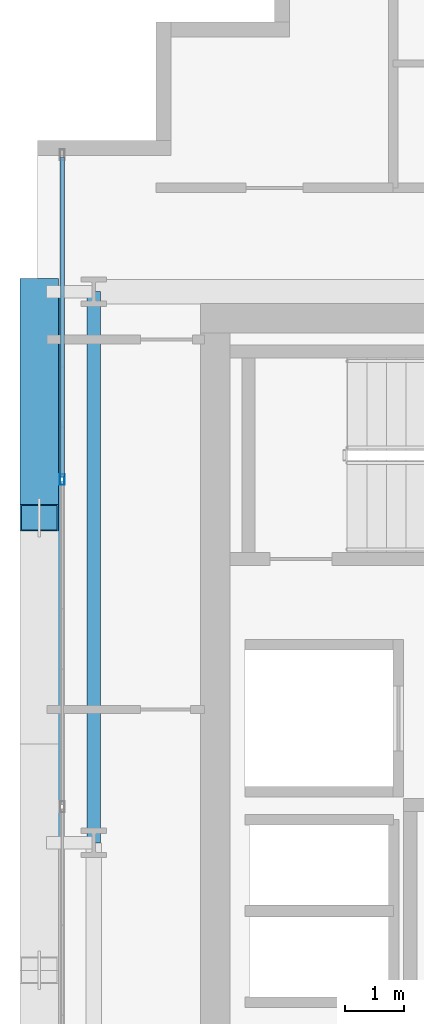
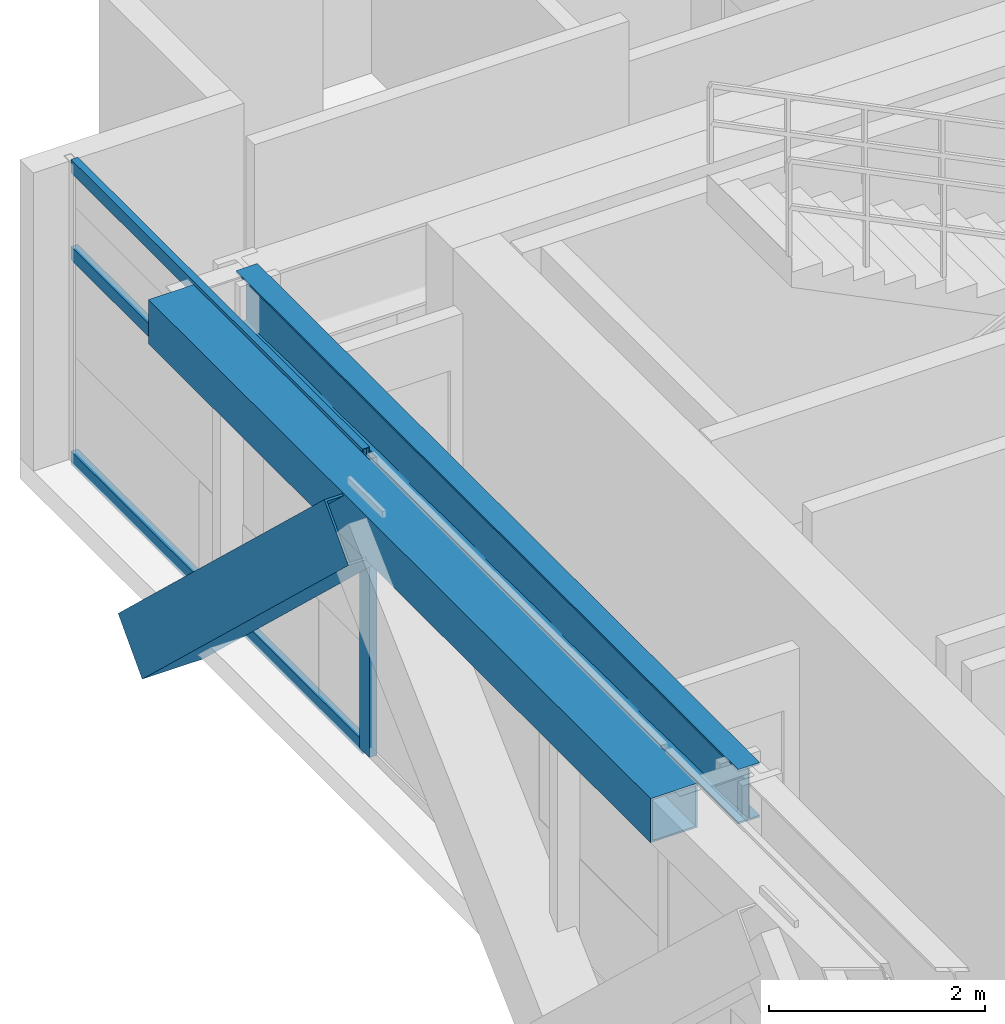
# One storey, part 8 of 30: 5 members, 2 beams, 1 element without a shape of its own.
"""IFC4 building model written with IfcOpenShell, lengths in metres."""

from ifc_helpers import new_model, si_unit, direction, frame, origin, origin_2d, place, context, subcontext, project, spatial, hollow_rectangle, i_section, extrude, source, transform, mapped, material, layer, layer_set, material_profile, profile_set, type_object, element, aggregate, save


model = new_model("IFC4")

# Units and contexts
model_context = context("Model", 3, precision=1e-05, world=origin(), true_north=direction((0.0, 1.0)))
body_context = subcontext(model_context, "Body", "Model", "MODEL_VIEW")
ifc_project = project(units=[si_unit("LENGTHUNIT", "METRE"), si_unit("AREAUNIT", "SQUARE_METRE"), si_unit("VOLUMEUNIT", "CUBIC_METRE"), si_unit("PLANEANGLEUNIT", "RADIAN"), si_unit("MASSUNIT", "GRAM", prefix="KILO")], contexts=[model_context])

# Site, building, storey
site_placement = place(None, origin())
site = spatial("IfcSite", under=ifc_project, at=site_placement, CompositionType="ELEMENT")
building_placement = place(site_placement, origin())
building = spatial("IfcBuilding", under=site, at=building_placement, Name="Ocotamira Hotel", CompositionType="ELEMENT")
storey_placement = place(building_placement, frame((0.0, 0.0, 195.60009765625)))
storey = spatial("IfcBuildingStorey", under=building, at=storey_placement, Name="L49", CompositionType="ELEMENT", Elevation=195.60009765625)

# Beams
ifc_material_1 = material(Name="Steel ASTM A992 Grade 50", Category="steel")
ifc_material_profile_1 = material_profile(ifc_material_1, i_section(OverallWidth=0.22998046875, OverallDepth=0.616943359375, WebThickness=0.01318359375, FlangeThickness=0.022216796875, FilletRadius=0.012939453125, at=origin_2d()), Name="W24X94")
ifc_profile_set_1 = profile_set([ifc_material_profile_1], Name="Steel ASTM A992 Grade 50")
beam_type_1 = type_object("IfcBeamType", Name="BM-PRIM-W24X94", PredefinedType="BEAM", material=ifc_profile_set_1)
shared_shape_1 = source(origin(), body_context, "Body", "SweptSolid", [
    extrude(i_section(OverallWidth=0.22998046875, OverallDepth=0.616943359375, WebThickness=0.01318359375, FlangeThickness=0.022216796875, FilletRadius=0.012939453125, at=origin_2d()), origin(), (0.0, 0.0, 1.0), 9.300048828125),
])
beam_1_placement = place(storey_placement, frame((8.949951171875, 28.14990234375, 3.0615234375), z_axis=(0.0, 1.0, 0.0), x_axis=(-1.0, 0.0, 0.0)))
element("IfcBeam", 1, at=beam_1_placement, inside=storey, type_object=beam_type_1, Name="L49 Beam X8.95 Y28.15-37.45", PredefinedType="BEAM", context=body_context, shape_type="MappedRepresentation", body=[
    mapped(shared_shape_1, transform((0.0, 0.0, 0.0), scale=1.0)),
])
ifc_material_2 = material(Name="Steel ASTM A500 Grade C", Category="steel")
ifc_material_profile_2 = material_profile(ifc_material_2, hollow_rectangle(XDim=0.5, YDim=0.5, WallThickness=0.02001953125, at=origin_2d()), Name="HSS500X500X20")
ifc_profile_set_2 = profile_set([ifc_material_profile_2], Name="Steel ASTM A500 Grade C")
beam_type_2 = type_object("IfcBeamType", Name="BM-SPAN-HSS500", PredefinedType="USERDEFINED", material=ifc_profile_set_2)
shared_shape_2 = source(origin(), body_context, "Body", "SweptSolid", [
    extrude(hollow_rectangle(XDim=0.5, YDim=0.5, WallThickness=0.02001953125, at=origin_2d()), origin(), (0.0, 0.0, 1.0), 9.300048828125),
])
beam_2_placement = place(storey_placement, frame((8.14990234375, 28.14990234375, 3.119873046875), z_axis=(0.0, 1.0, 0.0), x_axis=(-1.0, 0.0, 0.0)))
element("IfcBeam", 2, at=beam_2_placement, inside=storey, type_object=beam_type_2, Name="L49 Edge Spandrel W Y28.15-37.45", ObjectType="SPANDREL", PredefinedType="USERDEFINED", context=body_context, shape_type="MappedRepresentation", body=[
    mapped(shared_shape_2, transform((0.0, 0.0, 0.0), scale=1.0)),
])

# Member
ifc_material_3 = material(Name="Pale-metal coated steel ASTM A913 Grade 65", Category="steel")
ifc_material_profile_3 = material_profile(ifc_material_3, hollow_rectangle(XDim=0.64990234375, YDim=0.64990234375, WallThickness=0.02197265625, at=origin_2d()), Name="BOX650X650X22")
ifc_profile_set_3 = profile_set([ifc_material_profile_3], Name="Pale-metal coated steel ASTM A913 Grade 65")
member_type_1 = type_object("IfcMemberType", Name="MEM-EXO-BOX650", PredefinedType="BRACE", material=ifc_profile_set_3)
shared_shape_3 = source(origin(), body_context, "Body", "SweptSolid", [
    extrude(hollow_rectangle(XDim=0.64990234375, YDim=0.64990234375, WallThickness=0.02197265625, at=origin_2d()), origin(), (0.0, 0.0, 1.0), 5.24658203125),
])
member_1_placement = place(storey_placement, frame((8.030029296875, 37.449951171875, -0.47998046875), z_axis=(0.0, -0.72746596067, 0.686143772154), x_axis=(1.0, 0.0, 0.0)))
element("IfcMember", 3, at=member_1_placement, inside=storey, type_object=member_type_1, Name="L49 Exoskeleton Diagrid W2.2", PredefinedType="BRACE", context=body_context, shape_type="MappedRepresentation", body=[
    mapped(shared_shape_3, transform((0.0, 0.0, 0.0), scale=1.0)),
])

# Curtain wall, members
ifc_material_4 = material(Name="Anodised pale-metal aluminium and solar glass", Category="aluminium")
ifc_layer = layer(ifc_material_4, 0.199951171875)
ifc_layer_set = layer_set([ifc_layer], Name="Anodised pale-metal aluminium and solar glass")
curtain_wall_type = type_object("IfcCurtainWallType", Name="CW-SYS4-Z3", PredefinedType="NOTDEFINED", material=ifc_layer_set)
curtain_wall_placement = place(storey_placement, origin())
curtain_wall = element("IfcCurtainWall", 4, at=curtain_wall_placement, inside=storey, type_object=curtain_wall_type, Name="L49 Curtain Wall CW-4 CW-L49-W", PredefinedType="NOTDEFINED")
ifc_material_5 = material(Name="Anodised pale-metal aluminium 6063-T6", Category="aluminium")
ifc_material_profile_4 = material_profile(ifc_material_5, hollow_rectangle(XDim=0.074951171875, YDim=0.14990234375, WallThickness=0.006103515625, at=origin_2d()), Name="HSS150X75X6")
ifc_profile_set_4 = profile_set([ifc_material_profile_4], Name="Anodised pale-metal aluminium 6063-T6")
member_type_2 = type_object("IfcMemberType", Name="CWT-150X75", PredefinedType="USERDEFINED", material=ifc_profile_set_4)
shared_shape_4 = source(origin(), body_context, "Body", "SweptSolid", [
    extrude(hollow_rectangle(XDim=0.074951171875, YDim=0.14990234375, WallThickness=0.006103515625, at=origin_2d()), origin(), (0.0, 0.0, 1.0), 5.39990234375),
])
member_2_placement = place(storey_placement, frame((8.419921875, 34.320068359375, 0.037353515625), z_axis=(0.0, 1.0, 0.0), x_axis=(-1.0, 0.0, 0.0)))
member_2 = element("IfcMember", 5, at=member_2_placement, type_object=member_type_2, Name="CW-4 transom 5.1", ObjectType="TRANSOM", PredefinedType="USERDEFINED", context=body_context, shape_type="MappedRepresentation", body=[
    mapped(shared_shape_4, transform((0.0, 0.0, 0.0), scale=1.0)),
])
member_3_placement = place(storey_placement, frame((8.419921875, 34.320068359375, 2.349853515625), z_axis=(0.0, 1.0, 0.0), x_axis=(-1.0, 0.0, 0.0)))
member_3 = element("IfcMember", 6, at=member_3_placement, type_object=member_type_2, Name="CW-4 transom 5.2", ObjectType="TRANSOM", PredefinedType="USERDEFINED", context=body_context, shape_type="MappedRepresentation", body=[
    mapped(shared_shape_4, transform((0.0, 0.0, 0.0), scale=1.0)),
])
member_4_placement = place(storey_placement, frame((8.419921875, 34.320068359375, 3.33251953125), z_axis=(0.0, 1.0, 0.0), x_axis=(-1.0, 0.0, 0.0)))
member_4 = element("IfcMember", 7, at=member_4_placement, type_object=member_type_2, Name="CW-4 transom 5.3", ObjectType="TRANSOM", PredefinedType="USERDEFINED", context=body_context, shape_type="MappedRepresentation", body=[
    mapped(shared_shape_4, transform((0.0, 0.0, 0.0), scale=1.0)),
])
ifc_material_profile_5 = material_profile(ifc_material_5, hollow_rectangle(XDim=0.080078125, YDim=0.179931640625, WallThickness=0.006103515625, at=origin_2d()), Name="HSS180X80X6")
ifc_profile_set_5 = profile_set([ifc_material_profile_5], Name="Anodised pale-metal aluminium 6063-T6")
member_type_3 = type_object("IfcMemberType", Name="CWM-180X75", PredefinedType="MULLION", material=ifc_profile_set_5)
shared_shape_5 = source(origin(), body_context, "Body", "SweptSolid", [
    extrude(hollow_rectangle(XDim=0.080078125, YDim=0.179931640625, WallThickness=0.006103515625, at=origin_2d()), origin(), (0.0, 0.0, 1.0), 3.369873046875),
])
member_5_placement = place(storey_placement, frame((8.419921875, 34.280029296875, 0.0), z_axis=(0.0, 0.0, 1.0), x_axis=(-1.0, 0.0, 0.0)))
member_5 = element("IfcMember", 8, at=member_5_placement, type_object=member_type_3, Name="CW-4 mullion 5", PredefinedType="MULLION", context=body_context, shape_type="MappedRepresentation", body=[
    mapped(shared_shape_5, transform((0.0, 0.0, 0.0), scale=1.0)),
])
aggregate(curtain_wall, [member_5, member_2, member_3, member_4])

save(model, "model.ifc")
